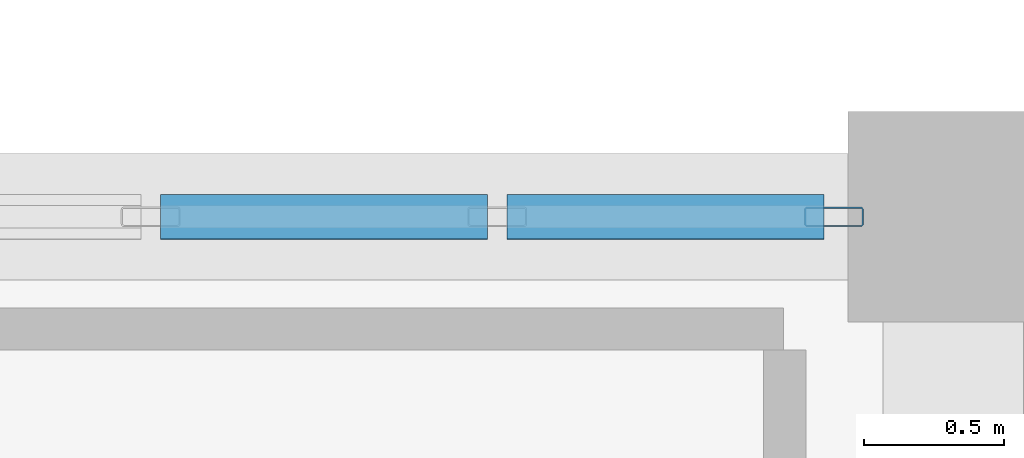
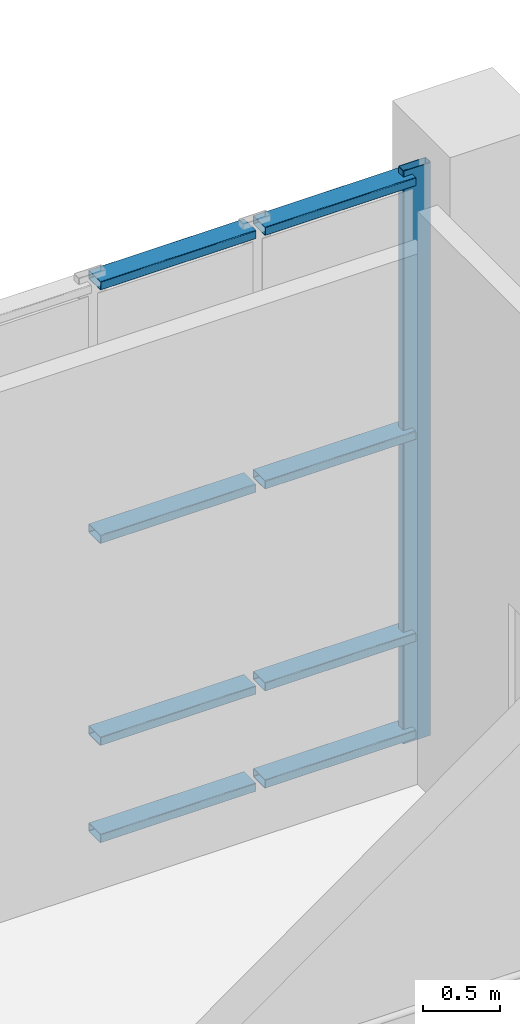
# One storey, part 50 of 106: 9 members, 1 element without a shape of its own.
"""IFC4 building model written with IfcOpenShell, lengths in metres."""

from ifc_helpers import new_model, si_unit, direction, frame, origin, origin_2d, place, context, subcontext, project, spatial, hollow_rectangle, extrude, material, layer, layer_set, material_profile, profile_set, type_object, element, aggregate, save


model = new_model("IFC4")

# Units and contexts
model_context = context("Model", 3, precision=1e-05, world=origin(), true_north=direction((0.0, 1.0)))
body_context = subcontext(model_context, "Body", "Model", "MODEL_VIEW")
ifc_project = project(units=[si_unit("LENGTHUNIT", "METRE"), si_unit("AREAUNIT", "SQUARE_METRE"), si_unit("VOLUMEUNIT", "CUBIC_METRE"), si_unit("PLANEANGLEUNIT", "RADIAN"), si_unit("MASSUNIT", "GRAM", prefix="KILO")], contexts=[model_context])

# Site, building, storey
site_placement = place(None, origin())
site = spatial("IfcSite", under=ifc_project, at=site_placement, CompositionType="ELEMENT")
building_placement = place(site_placement, origin())
building = spatial("IfcBuilding", under=site, at=building_placement, Name="Kisaragi Civic Commons", CompositionType="ELEMENT")
storey_placement = place(building_placement, frame((0.0, 0.0, 4.800048828125)))
storey = spatial("IfcBuildingStorey", under=building, at=storey_placement, Name="L01", CompositionType="ELEMENT", Elevation=4.800048828125)

# Curtain wall, members
ifc_material = material(Name="Thermally broken anodized aluminium and low-E double glazing", Category="aluminium")
ifc_layer = layer(ifc_material, 0.2099609375, Name="Thermally broken anodized aluminium and low-E double glazing", Category="aluminium")
ifc_layer_set = layer_set([ifc_layer], Name="Thermally broken anodized aluminium and low-E double glazing")
curtain_wall_type = type_object("IfcCurtainWallType", Name="CW-02", PredefinedType="NOTDEFINED", material=ifc_layer_set)
curtain_wall_placement = place(storey_placement, origin())
curtain_wall = element("IfcCurtainWall", 1, at=curtain_wall_placement, inside=storey, type_object=curtain_wall_type, Name="L01 curtain wall CW-02 CW-V3-L01-022", PredefinedType="NOTDEFINED")
ifc_material_profile_1 = material_profile(ifc_material, hollow_rectangle(XDim=0.070068359375, YDim=0.2099609375, WallThickness=0.0048828125, InnerFilletRadius=0.0048828125, OuterFilletRadius=0.010009765625, at=origin_2d()), Name="CWM-70x210x5", Category="aluminium")
ifc_profile_set_1 = profile_set([ifc_material_profile_1], Name="Thermally broken anodized aluminium and low-E double glazing")
member_type_1 = type_object("IfcMemberType", Name="CWM-03", PredefinedType="MULLION", material=ifc_profile_set_1)
member_1_placement = place(storey_placement, frame((159.175048828125, 25.199951171875, 0.0), z_axis=(0.0, 0.0, 1.0), x_axis=(0.0, 1.0, 0.0)))
member_1 = element("IfcMember", 2, at=member_1_placement, type_object=member_type_1, Name="CW-02 mullion 6", PredefinedType="MULLION", context=body_context, shape_type="SweptSolid", body=[
    extrude(hollow_rectangle(XDim=0.070068359375, YDim=0.2099609375, WallThickness=0.0048828125, InnerFilletRadius=0.0048828125, OuterFilletRadius=0.010009765625, at=origin_2d()), origin(), (0.0, 0.0, 1.0), 4.5400390625),
])
ifc_material_profile_2 = material_profile(ifc_material, hollow_rectangle(XDim=0.159912109375, YDim=0.070068359375, WallThickness=0.0048828125, InnerFilletRadius=0.0048828125, OuterFilletRadius=0.010009765625, at=origin_2d()), Name="CWT-70x160x5", Category="aluminium")
ifc_profile_set_2 = profile_set([ifc_material_profile_2], Name="Thermally broken anodized aluminium and low-E double glazing")
member_type_2 = type_object("IfcMemberType", Name="CWT-03", PredefinedType="USERDEFINED", material=ifc_profile_set_2)
member_2_placement = place(storey_placement, frame((156.777099609375, 25.199951171875, 0.079833984375), z_axis=(1.0, 0.0, 0.0), x_axis=(0.0, 1.0, 0.0)))
member_2 = element("IfcMember", 3, at=member_2_placement, type_object=member_type_2, Name="CW-02 transom 4.1", ObjectType="TRANSOM", PredefinedType="USERDEFINED", context=body_context, shape_type="SweptSolid", body=[
    extrude(hollow_rectangle(XDim=0.159912109375, YDim=0.070068359375, WallThickness=0.0048828125, InnerFilletRadius=0.0048828125, OuterFilletRadius=0.010009765625, at=origin_2d()), origin(), (0.0, 0.0, 1.0), 1.163818359375),
])
member_3_placement = place(storey_placement, frame((156.777099609375, 25.199951171875, 0.849853515625), z_axis=(1.0, 0.0, 0.0), x_axis=(0.0, 1.0, 0.0)))
member_3 = element("IfcMember", 4, at=member_3_placement, type_object=member_type_2, Name="CW-02 transom 4.2", ObjectType="TRANSOM", PredefinedType="USERDEFINED", context=body_context, shape_type="SweptSolid", body=[
    extrude(hollow_rectangle(XDim=0.159912109375, YDim=0.070068359375, WallThickness=0.0048828125, InnerFilletRadius=0.0048828125, OuterFilletRadius=0.010009765625, at=origin_2d()), origin(), (0.0, 0.0, 1.0), 1.163818359375),
])
member_4_placement = place(storey_placement, frame((156.777099609375, 25.199951171875, 2.449951171875), z_axis=(1.0, 0.0, 0.0), x_axis=(0.0, 1.0, 0.0)))
member_4 = element("IfcMember", 5, at=member_4_placement, type_object=member_type_2, Name="CW-02 transom 4.3", ObjectType="TRANSOM", PredefinedType="USERDEFINED", context=body_context, shape_type="SweptSolid", body=[
    extrude(hollow_rectangle(XDim=0.159912109375, YDim=0.070068359375, WallThickness=0.0048828125, InnerFilletRadius=0.0048828125, OuterFilletRadius=0.010009765625, at=origin_2d()), origin(), (0.0, 0.0, 1.0), 1.163818359375),
])
member_5_placement = place(storey_placement, frame((156.777099609375, 25.199951171875, 4.4599609375), z_axis=(1.0, 0.0, 0.0), x_axis=(0.0, 1.0, 0.0)))
member_5 = element("IfcMember", 6, at=member_5_placement, type_object=member_type_2, Name="CW-02 transom 4.4", ObjectType="TRANSOM", PredefinedType="USERDEFINED", context=body_context, shape_type="SweptSolid", body=[
    extrude(hollow_rectangle(XDim=0.159912109375, YDim=0.070068359375, WallThickness=0.0048828125, InnerFilletRadius=0.0048828125, OuterFilletRadius=0.010009765625, at=origin_2d()), origin(), (0.0, 0.0, 1.0), 1.163818359375),
])
member_6_placement = place(storey_placement, frame((158.010986328125, 25.199951171875, 0.079833984375), z_axis=(1.0, 0.0, 0.0), x_axis=(0.0, 1.0, 0.0)))
member_6 = element("IfcMember", 7, at=member_6_placement, type_object=member_type_2, Name="CW-02 transom 5.1", ObjectType="TRANSOM", PredefinedType="USERDEFINED", context=body_context, shape_type="SweptSolid", body=[
    extrude(hollow_rectangle(XDim=0.159912109375, YDim=0.070068359375, WallThickness=0.0048828125, InnerFilletRadius=0.0048828125, OuterFilletRadius=0.010009765625, at=origin_2d()), origin(), (0.0, 0.0, 1.0), 1.12890625),
])
member_7_placement = place(storey_placement, frame((158.010986328125, 25.199951171875, 0.849853515625), z_axis=(1.0, 0.0, 0.0), x_axis=(0.0, 1.0, 0.0)))
member_7 = element("IfcMember", 8, at=member_7_placement, type_object=member_type_2, Name="CW-02 transom 5.2", ObjectType="TRANSOM", PredefinedType="USERDEFINED", context=body_context, shape_type="SweptSolid", body=[
    extrude(hollow_rectangle(XDim=0.159912109375, YDim=0.070068359375, WallThickness=0.0048828125, InnerFilletRadius=0.0048828125, OuterFilletRadius=0.010009765625, at=origin_2d()), origin(), (0.0, 0.0, 1.0), 1.12890625),
])
member_8_placement = place(storey_placement, frame((158.010986328125, 25.199951171875, 2.449951171875), z_axis=(1.0, 0.0, 0.0), x_axis=(0.0, 1.0, 0.0)))
member_8 = element("IfcMember", 9, at=member_8_placement, type_object=member_type_2, Name="CW-02 transom 5.3", ObjectType="TRANSOM", PredefinedType="USERDEFINED", context=body_context, shape_type="SweptSolid", body=[
    extrude(hollow_rectangle(XDim=0.159912109375, YDim=0.070068359375, WallThickness=0.0048828125, InnerFilletRadius=0.0048828125, OuterFilletRadius=0.010009765625, at=origin_2d()), origin(), (0.0, 0.0, 1.0), 1.12890625),
])
member_9_placement = place(storey_placement, frame((158.010986328125, 25.199951171875, 4.4599609375), z_axis=(1.0, 0.0, 0.0), x_axis=(0.0, 1.0, 0.0)))
member_9 = element("IfcMember", 10, at=member_9_placement, type_object=member_type_2, Name="CW-02 transom 5.4", ObjectType="TRANSOM", PredefinedType="USERDEFINED", context=body_context, shape_type="SweptSolid", body=[
    extrude(hollow_rectangle(XDim=0.159912109375, YDim=0.070068359375, WallThickness=0.0048828125, InnerFilletRadius=0.0048828125, OuterFilletRadius=0.010009765625, at=origin_2d()), origin(), (0.0, 0.0, 1.0), 1.12890625),
])
aggregate(curtain_wall, [member_1, member_2, member_3, member_4, member_5, member_6, member_7, member_8, member_9])

save(model, "model.ifc")
